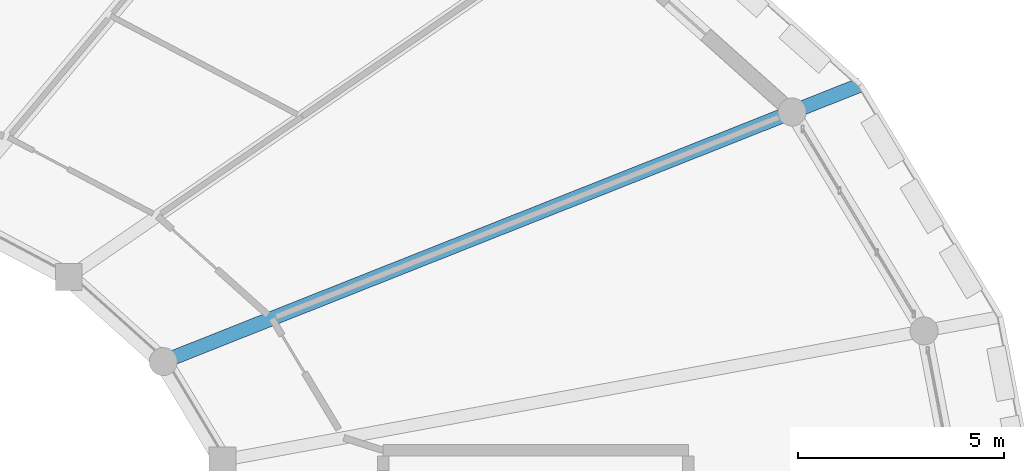
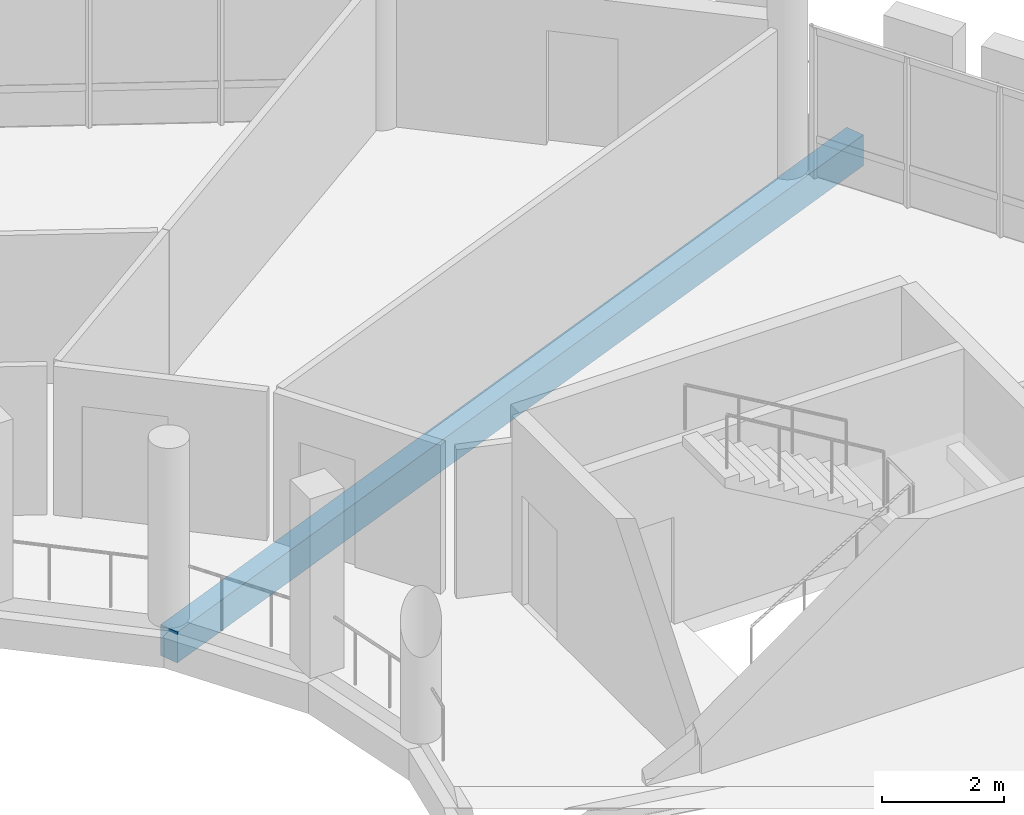
# One storey, part 73 of 128: 1 beam.
"""IFC4 building model written with IfcOpenShell, lengths in metres."""

from ifc_helpers import new_model, si_unit, direction, frame, origin, origin_2d, place, context, subcontext, project, spatial, rectangle, extrude, material, material_profile, profile_set, type_object, element, save


model = new_model("IFC4")

# Units and contexts
model_context = context("Model", 3, precision=1e-05, world=origin(), true_north=direction((0.0, 1.0)))
body_context = subcontext(model_context, "Body", "Model", "MODEL_VIEW")
ifc_project = project(units=[si_unit("LENGTHUNIT", "METRE"), si_unit("AREAUNIT", "SQUARE_METRE"), si_unit("VOLUMEUNIT", "CUBIC_METRE"), si_unit("PLANEANGLEUNIT", "RADIAN"), si_unit("MASSUNIT", "GRAM", prefix="KILO")], contexts=[model_context])

# Site, building, storey
site_placement = place(None, origin())
site = spatial("IfcSite", under=ifc_project, at=site_placement, CompositionType="ELEMENT")
building_placement = place(site_placement, origin())
building = spatial("IfcBuilding", under=site, at=building_placement, Name="Zornivar Specialist Clinic", CompositionType="ELEMENT")
storey_placement = place(building_placement, frame((0.0, 0.0, 4.5)))
storey = spatial("IfcBuildingStorey", under=building, at=storey_placement, Name="L01", CompositionType="ELEMENT", Elevation=4.5)

# Beam
ifc_material = material(Name="Concrete C30/37", Category="concrete")
ifc_material_profile = material_profile(ifc_material, rectangle(XDim=0.35009765625, YDim=0.6201171875, at=origin_2d()), Name="RC 350x620")
ifc_profile_set = profile_set([ifc_material_profile], Name="Concrete C30/37")
beam_type = type_object("IfcBeamType", Name="BM-RC-CANT-350x620", PredefinedType="BEAM", material=ifc_profile_set)
beam_placement = place(storey_placement, frame((106.071044921875, 62.550048828125, -0.550048828125), z_axis=(0.92946024729, 0.368922280036, 0.0), x_axis=(-0.368922280036, 0.92946024729, 0.0)))
element("IfcBeam", 1, at=beam_placement, inside=storey, type_object=beam_type, Name="bm:V1:L01:radcant:02", PredefinedType="BEAM", context=body_context, shape_type="SweptSolid", body=[
    extrude(rectangle(XDim=0.35009765625, YDim=0.6201171875, at=origin_2d()), origin(), (0.0, 0.0, 1.0), 18.18798828125),
])

save(model, "model.ifc")
